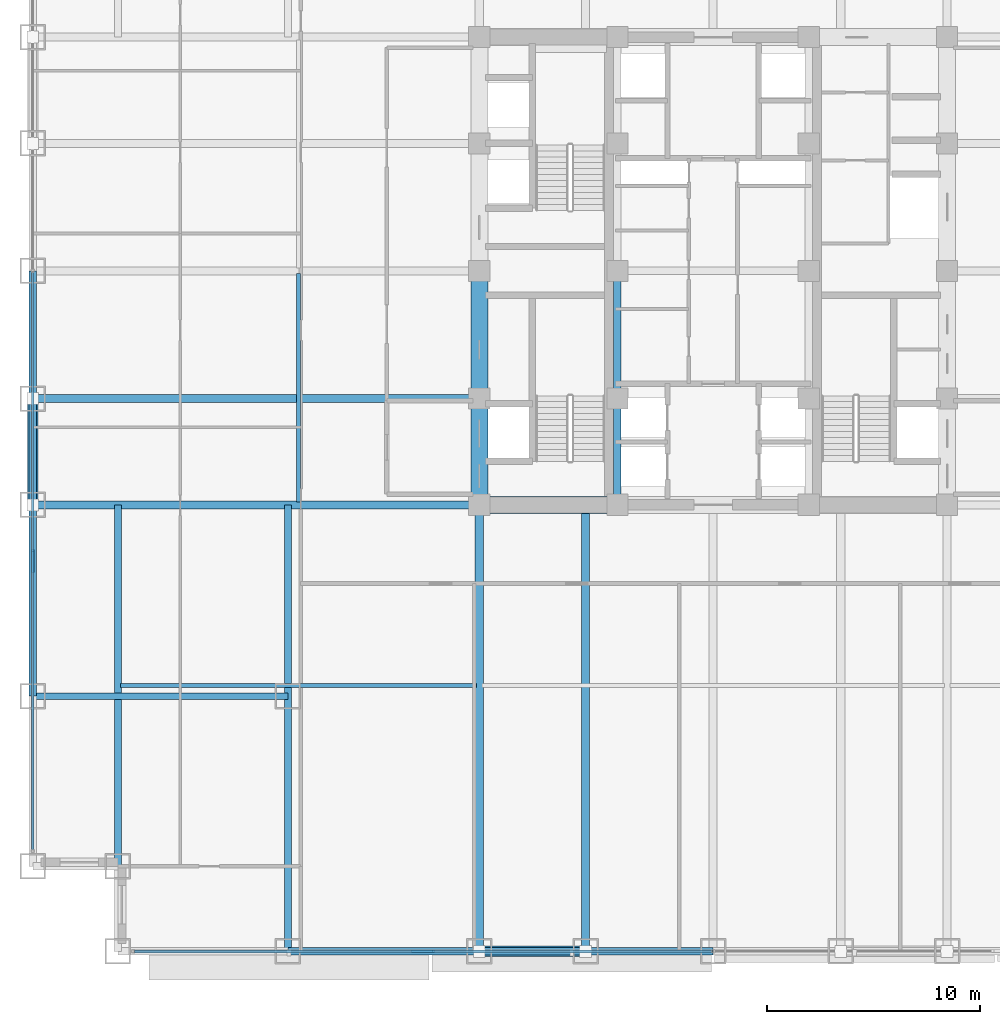
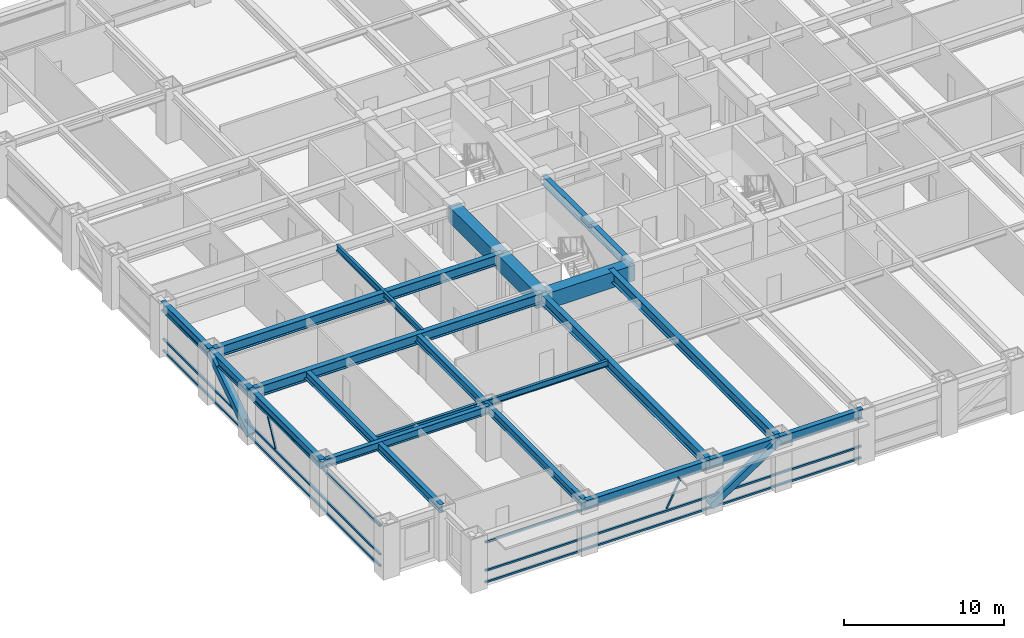
# One storey, part 3 of 32: 20 beams, 10 members, 2 elements without a shape of their own.
"""IFC4 building model written with IfcOpenShell, lengths in metres."""

from ifc_helpers import new_model, si_unit, direction, frame, origin, origin_2d, place, context, subcontext, project, spatial, rectangle, hollow_rectangle, i_section, extrude, source, transform, mapped, material, material_profile, profile_set, type_object, element, aggregate, save


model = new_model("IFC4")

# Units and contexts
model_context = context("Model", 3, precision=1e-05, world=origin(), true_north=direction((0.0, 1.0)))
body_context = subcontext(model_context, "Body", "Model", "MODEL_VIEW")
ifc_project = project(units=[si_unit("LENGTHUNIT", "METRE"), si_unit("AREAUNIT", "SQUARE_METRE"), si_unit("VOLUMEUNIT", "CUBIC_METRE"), si_unit("PLANEANGLEUNIT", "RADIAN"), si_unit("MASSUNIT", "GRAM", prefix="KILO")], contexts=[model_context])

# Site, building, storey
site_placement = place(None, origin())
site = spatial("IfcSite", under=ifc_project, at=site_placement, CompositionType="ELEMENT")
building_placement = place(site_placement, origin())
building = spatial("IfcBuilding", under=site, at=building_placement, Name="Khorayat Bourse Tower", CompositionType="ELEMENT")
storey_placement = place(building_placement, frame((0.0, 0.0, 132.39990234375)))
storey = spatial("IfcBuildingStorey", under=building, at=storey_placement, Name="L30", CompositionType="ELEMENT", Elevation=132.39990234375)

# Beams
ifc_material_1 = material(Name="Concrete C72/90", Category="concrete")
ifc_material_profile_1 = material_profile(ifc_material_1, rectangle(XDim=0.800048828125, YDim=1.199951171875, at=origin_2d()), Name="RC 800x1200")
ifc_profile_set_1 = profile_set([ifc_material_profile_1], Name="Concrete C72/90")
beam_type_1 = type_object("IfcBeamType", Name="BM-COUP-1200", PredefinedType="BEAM", material=ifc_profile_set_1)
shared_shape_1 = source(origin(), body_context, "Body", "SweptSolid", [
    extrude(rectangle(XDim=0.800048828125, YDim=1.199951171875, at=origin_2d()), origin(), (0.0, 0.0, 1.0), 5.0),
])
beam_1_placement = place(storey_placement, frame((-11.0, -11.0, 3.239990234375), z_axis=(0.0, 1.0, 0.0), x_axis=(-1.0, 0.0, 0.0)))
element("IfcBeam", 1, at=beam_1_placement, inside=storey, type_object=beam_type_1, Name="L30 BM-COUP-1200 BM-L30-CRX-01", PredefinedType="BEAM", context=body_context, shape_type="MappedRepresentation", body=[
    mapped(shared_shape_1, transform((0.0, 0.0, 0.0), scale=1.0)),
])
shared_shape_2 = source(origin(), body_context, "Body", "SweptSolid", [
    extrude(rectangle(XDim=0.800048828125, YDim=1.199951171875, at=origin_2d()), origin(), (0.0, 0.0, 1.0), 6.0),
])
beam_2_placement = place(storey_placement, frame((-11.0, -6.0, 3.239990234375), z_axis=(0.0, 1.0, 0.0), x_axis=(-1.0, 0.0, 0.0)))
element("IfcBeam", 2, at=beam_2_placement, inside=storey, type_object=beam_type_1, Name="L30 BM-COUP-1200 BM-L30-CRX-02", PredefinedType="BEAM", context=body_context, shape_type="MappedRepresentation", body=[
    mapped(shared_shape_2, transform((0.0, 0.0, 0.0), scale=1.0)),
])
ifc_material_2 = material(Name="Steel ASTM A992 Grade 50", Category="steel")
ifc_material_profile_2 = material_profile(ifc_material_2, i_section(OverallWidth=0.35498046875, OverallDepth=0.695068359375, WebThickness=0.015380859375, FlangeThickness=0.02490234375, FilletRadius=0.01806640625, at=origin_2d()), Name="W690X217")
ifc_profile_set_2 = profile_set([ifc_material_profile_2], Name="Steel ASTM A992 Grade 50")
beam_type_2 = type_object("IfcBeamType", Name="BM-GIRD-690", PredefinedType="BEAM", material=ifc_profile_set_2)
shared_shape_3 = source(origin(), body_context, "Body", "SweptSolid", [
    extrude(i_section(OverallWidth=0.35498046875, OverallDepth=0.695068359375, WebThickness=0.015380859375, FlangeThickness=0.02490234375, FilletRadius=0.01806640625, at=origin_2d()), origin(), (0.0, 0.0, 1.0), 5.0),
])
beam_3_placement = place(storey_placement, frame((-4.5, -11.0, 3.49267578125), z_axis=(0.0, 1.0, 0.0), x_axis=(-1.0, 0.0, 0.0)))
element("IfcBeam", 3, at=beam_3_placement, inside=storey, type_object=beam_type_2, Name="L30 BM-GIRD-690 BM-L30-CRX-05", PredefinedType="BEAM", context=body_context, shape_type="MappedRepresentation", body=[
    mapped(shared_shape_3, transform((0.0, 0.0, 0.0), scale=1.0)),
])
shared_shape_4 = source(origin(), body_context, "Body", "SweptSolid", [
    extrude(i_section(OverallWidth=0.35498046875, OverallDepth=0.695068359375, WebThickness=0.015380859375, FlangeThickness=0.02490234375, FilletRadius=0.01806640625, at=origin_2d()), origin(), (0.0, 0.0, 1.0), 6.0),
])
beam_4_placement = place(storey_placement, frame((-4.5, -6.0, 3.49267578125), z_axis=(0.0, 1.0, 0.0), x_axis=(-1.0, 0.0, 0.0)))
element("IfcBeam", 4, at=beam_4_placement, inside=storey, type_object=beam_type_2, Name="L30 BM-GIRD-690 BM-L30-CRX-06", PredefinedType="BEAM", context=body_context, shape_type="MappedRepresentation", body=[
    mapped(shared_shape_4, transform((0.0, 0.0, 0.0), scale=1.0)),
])
shared_shape_5 = source(origin(), body_context, "Body", "SweptSolid", [
    extrude(rectangle(XDim=0.800048828125, YDim=1.199951171875, at=origin_2d()), origin(), (0.0, 0.0, 1.0), 6.5),
])
beam_5_placement = place(storey_placement, frame((-11.0, -11.0, 3.239990234375), z_axis=(1.0, 0.0, 0.0), x_axis=(0.0, 1.0, 0.0)))
element("IfcBeam", 5, at=beam_5_placement, inside=storey, type_object=beam_type_1, Name="L30 BM-COUP-1200 BM-L30-CRY-17", PredefinedType="BEAM", context=body_context, shape_type="MappedRepresentation", body=[
    mapped(shared_shape_5, transform((0.0, 0.0, 0.0), scale=1.0)),
])
ifc_material_profile_3 = material_profile(ifc_material_2, i_section(OverallWidth=0.35498046875, OverallDepth=0.695068359375, WebThickness=0.015380859375, FlangeThickness=0.02490234375, FilletRadius=0.01806640625, at=origin_2d()), Name="W690X217")
ifc_profile_set_3 = profile_set([ifc_material_profile_3], Name="Steel ASTM A992 Grade 50")
beam_type_3 = type_object("IfcBeamType", Name="BM-SPAN-690", PredefinedType="SPANDREL", material=ifc_profile_set_3)
shared_shape_6 = source(origin(), body_context, "Body", "SweptSolid", [
    extrude(i_section(OverallWidth=0.35498046875, OverallDepth=0.695068359375, WebThickness=0.015380859375, FlangeThickness=0.02490234375, FilletRadius=0.01806640625, at=origin_2d()), origin(), (0.0, 0.0, 1.0), 9.0),
])
for number, where, z_axis, x_axis, name in (
    (6, (-20.0, -32.0, 3.49267578125), (1.0, 0.0, 0.0), (0.0, 1.0, 0.0), "L30 BM-SPAN-690 BM-L30-SPN-025"),
    (7, (-32.0, -20.0, 3.49267578125), (0.0, 1.0, 0.0), (-1.0, 0.0, 0.0), "L30 BM-SPAN-690 BM-L30-SPN-060"),
):
    element("IfcBeam", number, at=place(storey_placement, frame(where, z_axis=z_axis, x_axis=x_axis)), inside=storey, type_object=beam_type_3, Name=name, PredefinedType="SPANDREL", context=body_context, shape_type="MappedRepresentation", body=[
        mapped(shared_shape_6, transform((0.0, 0.0, 0.0), scale=1.0)),
    ])
shared_shape_7 = source(origin(), body_context, "Body", "SweptSolid", [
    extrude(i_section(OverallWidth=0.35498046875, OverallDepth=0.695068359375, WebThickness=0.015380859375, FlangeThickness=0.02490234375, FilletRadius=0.01806640625, at=origin_2d()), origin(), (0.0, 0.0, 1.0), 5.0),
])
for number, where, z_axis, x_axis, name in (
    (8, (-11.0, -32.0, 3.49267578125), (1.0, 0.0, 0.0), (0.0, 1.0, 0.0), "L30 BM-SPAN-690 BM-L30-SPN-026"),
    (9, (-32.0, -11.0, 3.49267578125), (0.0, 1.0, 0.0), (-1.0, 0.0, 0.0), "L30 BM-SPAN-690 BM-L30-SPN-059"),
):
    element("IfcBeam", number, at=place(storey_placement, frame(where, z_axis=z_axis, x_axis=x_axis)), inside=storey, type_object=beam_type_3, Name=name, PredefinedType="SPANDREL", context=body_context, shape_type="MappedRepresentation", body=[
        mapped(shared_shape_7, transform((0.0, 0.0, 0.0), scale=1.0)),
    ])
shared_shape_8 = source(origin(), body_context, "Body", "SweptSolid", [
    extrude(i_section(OverallWidth=0.35498046875, OverallDepth=0.695068359375, WebThickness=0.015380859375, FlangeThickness=0.02490234375, FilletRadius=0.01806640625, at=origin_2d()), origin(), (0.0, 0.0, 1.0), 6.0),
])
for number, where, z_axis, x_axis, name in (
    (10, (-6.0, -32.0, 3.49267578125), (1.0, 0.0, 0.0), (0.0, 1.0, 0.0), "L30 BM-SPAN-690 BM-L30-SPN-027"),
    (11, (-32.0, -6.0, 3.49267578125), (0.0, 1.0, 0.0), (-1.0, 0.0, 0.0), "L30 BM-SPAN-690 BM-L30-SPN-058"),
):
    element("IfcBeam", number, at=place(storey_placement, frame(where, z_axis=z_axis, x_axis=x_axis)), inside=storey, type_object=beam_type_3, Name=name, PredefinedType="SPANDREL", context=body_context, shape_type="MappedRepresentation", body=[
        mapped(shared_shape_8, transform((0.0, 0.0, 0.0), scale=1.0)),
    ])
ifc_material_profile_4 = material_profile(ifc_material_2, i_section(OverallWidth=0.324951171875, OverallDepth=0.615966796875, WebThickness=0.013916015625, FlangeThickness=0.021484375, FilletRadius=0.01611328125, at=origin_2d()), Name="W610X174")
ifc_profile_set_4 = profile_set([ifc_material_profile_4], Name="Steel ASTM A992 Grade 50")
beam_type_4 = type_object("IfcBeamType", Name="BM-GIRD-610", PredefinedType="BEAM", material=ifc_profile_set_4)
shared_shape_9 = source(origin(), body_context, "Body", "SweptSolid", [
    extrude(i_section(OverallWidth=0.324951171875, OverallDepth=0.615966796875, WebThickness=0.013916015625, FlangeThickness=0.021484375, FilletRadius=0.01611328125, at=origin_2d()), origin(), (0.0, 0.0, 1.0), 21.0),
])
beam_6_placement = place(storey_placement, frame((-20.0, -32.0, 3.531982421875), z_axis=(0.0, 1.0, 0.0), x_axis=(-1.0, 0.0, 0.0)))
element("IfcBeam", 12, at=beam_6_placement, inside=storey, type_object=beam_type_4, Name="L30 BM-GIRD-610 BM-L30-CNRY-084", PredefinedType="BEAM", context=body_context, shape_type="MappedRepresentation", body=[
    mapped(shared_shape_9, transform((0.0, 0.0, 0.0), scale=1.0)),
])
shared_shape_10 = source(origin(), body_context, "Body", "SweptSolid", [
    extrude(i_section(OverallWidth=0.324951171875, OverallDepth=0.615966796875, WebThickness=0.013916015625, FlangeThickness=0.021484375, FilletRadius=0.01611328125, at=origin_2d()), origin(), (0.0, 0.0, 1.0), 12.0),
])
beam_7_placement = place(storey_placement, frame((-32.0, -20.0, 3.531982421875), z_axis=(1.0, 0.0, 0.0), x_axis=(0.0, 1.0, 0.0)))
element("IfcBeam", 13, at=beam_7_placement, inside=storey, type_object=beam_type_4, Name="L30 BM-GIRD-610 BM-L30-CNRX-093", PredefinedType="BEAM", context=body_context, shape_type="MappedRepresentation", body=[
    mapped(shared_shape_10, transform((0.0, 0.0, 0.0), scale=1.0)),
])
ifc_material_profile_5 = material_profile(ifc_material_2, i_section(OverallWidth=0.194091796875, OverallDepth=0.468994140625, WebThickness=0.0126953125, FlangeThickness=0.0205078125, FilletRadius=0.012939453125, at=origin_2d()), Name="W460X106")
ifc_profile_set_5 = profile_set([ifc_material_profile_5], Name="Steel ASTM A992 Grade 50")
beam_type_5 = type_object("IfcBeamType", Name="BM-JOIST-460", PredefinedType="JOIST", material=ifc_profile_set_5)
shared_shape_11 = source(origin(), body_context, "Body", "SweptSolid", [
    extrude(i_section(OverallWidth=0.194091796875, OverallDepth=0.468994140625, WebThickness=0.0126953125, FlangeThickness=0.0205078125, FilletRadius=0.012939453125, at=origin_2d()), origin(), (0.0, 0.0, 1.0), 10.740234375),
])
beam_8_placement = place(storey_placement, frame((-19.5, -10.8701171875, 3.605712890625), z_axis=(0.0, 1.0, 0.0), x_axis=(-1.0, 0.0, 0.0)))
element("IfcBeam", 14, at=beam_8_placement, inside=storey, type_object=beam_type_5, Name="L30 BM-JOIST-460 BM-L30-JSTY-102", PredefinedType="JOIST", context=body_context, shape_type="MappedRepresentation", body=[
    mapped(shared_shape_11, transform((0.0, 0.0, 0.0), scale=1.0)),
])
ifc_material_profile_6 = material_profile(ifc_material_2, i_section(OverallWidth=0.381103515625, OverallDepth=0.77294921875, WebThickness=0.0166015625, FlangeThickness=0.027587890625, FilletRadius=0.01806640625, at=origin_2d()), Name="W760X257")
ifc_profile_set_6 = profile_set([ifc_material_profile_6], Name="Steel ASTM A992 Grade 50")
beam_type_6 = type_object("IfcBeamType", Name="BM-GIRD-760", PredefinedType="BEAM", material=ifc_profile_set_6)
shared_shape_12 = source(origin(), body_context, "Body", "SweptSolid", [
    extrude(i_section(OverallWidth=0.381103515625, OverallDepth=0.77294921875, WebThickness=0.0166015625, FlangeThickness=0.027587890625, FilletRadius=0.01806640625, at=origin_2d()), origin(), (0.0, 0.0, 1.0), 21.0),
])
for number, where, z_axis, x_axis, name in (
    (15, (-11.0, -32.0, 3.45361328125), (0.0, 1.0, 0.0), (-1.0, 0.0, 0.0), "L30 BM-GIRD-760 BM-L30-RADY-065"),
    (16, (-6.0, -32.0, 3.45361328125), (0.0, 1.0, 0.0), (-1.0, 0.0, 0.0), "L30 BM-GIRD-760 BM-L30-RADY-067"),
    (17, (-32.0, -11.0, 3.45361328125), (1.0, 0.0, 0.0), (0.0, 1.0, 0.0), "L30 BM-GIRD-760 BM-L30-RADX-075"),
    (18, (-32.0, -6.0, 3.45361328125), (1.0, 0.0, 0.0), (0.0, 1.0, 0.0), "L30 BM-GIRD-760 BM-L30-RADX-077"),
):
    element("IfcBeam", number, at=place(storey_placement, frame(where, z_axis=z_axis, x_axis=x_axis)), inside=storey, type_object=beam_type_6, Name=name, PredefinedType="BEAM", context=body_context, shape_type="MappedRepresentation", body=[
        mapped(shared_shape_12, transform((0.0, 0.0, 0.0), scale=1.0)),
    ])
shared_shape_13 = source(origin(), body_context, "Body", "SweptSolid", [
    extrude(i_section(OverallWidth=0.324951171875, OverallDepth=0.615966796875, WebThickness=0.013916015625, FlangeThickness=0.021484375, FilletRadius=0.01611328125, at=origin_2d()), origin(), (0.0, 0.0, 1.0), 17.0),
])
beam_9_placement = place(storey_placement, frame((-28.0, -28.0, 3.531982421875), z_axis=(0.0, 1.0, 0.0), x_axis=(-1.0, 0.0, 0.0)))
element("IfcBeam", 19, at=beam_9_placement, inside=storey, type_object=beam_type_4, Name="L30 BM-GIRD-610 BM-L30-CNRY-088", PredefinedType="BEAM", context=body_context, shape_type="MappedRepresentation", body=[
    mapped(shared_shape_13, transform((0.0, 0.0, 0.0), scale=1.0)),
])
shared_shape_14 = source(origin(), body_context, "Body", "SweptSolid", [
    extrude(i_section(OverallWidth=0.194091796875, OverallDepth=0.468994140625, WebThickness=0.0126953125, FlangeThickness=0.0205078125, FilletRadius=0.012939453125, at=origin_2d()), origin(), (0.0, 0.0, 1.0), 16.740234375),
])
beam_10_placement = place(storey_placement, frame((-27.8701171875, -19.5, 3.605712890625), z_axis=(1.0, 0.0, 0.0), x_axis=(0.0, 1.0, 0.0)))
element("IfcBeam", 20, at=beam_10_placement, inside=storey, type_object=beam_type_5, Name="L30 BM-JOIST-460 BM-L30-JSTX-096", PredefinedType="JOIST", context=body_context, shape_type="MappedRepresentation", body=[
    mapped(shared_shape_14, transform((0.0, 0.0, 0.0), scale=1.0)),
])

# Members
ifc_material_3 = material(Name="Steel EN 10025-4 S460M", Category="steel")
ifc_material_profile_7 = material_profile(ifc_material_3, hollow_rectangle(XDim=0.5, YDim=0.5, WallThickness=0.028076171875, at=origin_2d()), Name="HSS 500x500x28")
ifc_profile_set_7 = profile_set([ifc_material_profile_7], Name="Steel EN 10025-4 S460M")
member_type_1 = type_object("IfcMemberType", Name="MBR-TUBE-500", PredefinedType="BRACE", material=ifc_profile_set_7)
shared_shape_15 = source(origin(), body_context, "Body", "SweptSolid", [
    extrude(hollow_rectangle(XDim=0.5, YDim=0.5, WallThickness=0.028076171875, at=origin_2d()), origin(), (0.0, 0.0, 1.0), 6.012939453125),
])
for number, where, z_axis, x_axis, name in (
    (21, (-11.0, -32.0, 0.25), (0.831531473026, 0.0, 0.555477640745), (0.0, 1.0, 0.0), "L30 Perimeter Tube Brace 01"),
    (22, (-32.0, -11.0, 0.25), (0.0, 0.831531473026, 0.555477640745), (-1.0, 0.0, 0.0), "L30 Perimeter Tube Brace 05"),
):
    element("IfcMember", number, at=place(storey_placement, frame(where, z_axis=z_axis, x_axis=x_axis)), inside=storey, type_object=member_type_1, Name=name, PredefinedType="BRACE", context=body_context, shape_type="MappedRepresentation", body=[
        mapped(shared_shape_15, transform((0.0, 0.0, 0.0), scale=1.0)),
    ])

# Curtain wall, members
ifc_material_4 = material(Name="Aluminium EN AW-6063 T6", Category="aluminium")
curtain_wall_type = type_object("IfcCurtainWallType", Name="CW-SYS-02", PredefinedType="NOTDEFINED", material=ifc_material_4)
curtain_wall_1_placement = place(storey_placement, origin())
curtain_wall_1 = element("IfcCurtainWall", 23, at=curtain_wall_1_placement, inside=storey, type_object=curtain_wall_type, Name="L30 Curtain Wall CW-L30-S1", PredefinedType="NOTDEFINED")
ifc_material_profile_8 = material_profile(ifc_material_4, hollow_rectangle(XDim=0.139892578125, YDim=0.139892578125, WallThickness=0.006103515625, at=origin_2d()), Name="ALU 140x140x6")
ifc_profile_set_8 = profile_set([ifc_material_profile_8], Name="Aluminium EN AW-6063 T6")
member_type_2 = type_object("IfcMemberType", Name="CWT-HORZ-140", PredefinedType="USERDEFINED", material=ifc_profile_set_8)
shared_shape_16 = source(origin(), body_context, "Body", "SweptSolid", [
    extrude(hollow_rectangle(XDim=0.139892578125, YDim=0.139892578125, WallThickness=0.006103515625, at=origin_2d()), origin(), (0.0, 0.0, 1.0), 27.139892578125),
])
member_1_placement = place(storey_placement, frame((-27.2099609375, -32.0, 0.070068359375), z_axis=(1.0, 0.0, 0.0), x_axis=(0.0, 1.0, 0.0)))
member_1 = element("IfcMember", 24, at=member_1_placement, type_object=member_type_2, Name="CW-L30-S1 Horizontal Transom 1-1", ObjectType="TRANSOM", PredefinedType="USERDEFINED", context=body_context, shape_type="MappedRepresentation", body=[
    mapped(shared_shape_16, transform((0.0, 0.0, 0.0), scale=1.0)),
])
member_2_placement = place(storey_placement, frame((-27.2099609375, -32.0, 0.9501953125), z_axis=(1.0, 0.0, 0.0), x_axis=(0.0, 1.0, 0.0)))
member_2 = element("IfcMember", 25, at=member_2_placement, type_object=member_type_2, Name="CW-L30-S1 Horizontal Transom 1-2", ObjectType="TRANSOM", PredefinedType="USERDEFINED", context=body_context, shape_type="MappedRepresentation", body=[
    mapped(shared_shape_16, transform((0.0, 0.0, 0.0), scale=1.0)),
])
member_3_placement = place(storey_placement, frame((-27.2099609375, -32.0, 3.1201171875), z_axis=(1.0, 0.0, 0.0), x_axis=(0.0, 1.0, 0.0)))
member_3 = element("IfcMember", 26, at=member_3_placement, type_object=member_type_2, Name="CW-L30-S1 Horizontal Transom 1-3", ObjectType="TRANSOM", PredefinedType="USERDEFINED", context=body_context, shape_type="MappedRepresentation", body=[
    mapped(shared_shape_16, transform((0.0, 0.0, 0.0), scale=1.0)),
])

curtain_wall_2_placement = place(storey_placement, origin())
curtain_wall_2 = element("IfcCurtainWall", 27, at=curtain_wall_2_placement, inside=storey, type_object=curtain_wall_type, Name="L30 Curtain Wall CW-L30-W1", PredefinedType="NOTDEFINED")
member_4_placement = place(storey_placement, frame((-32.0, -27.2099609375, 0.070068359375), z_axis=(0.0, 1.0, 0.0), x_axis=(-1.0, 0.0, 0.0)))
member_4 = element("IfcMember", 28, at=member_4_placement, type_object=member_type_2, Name="CW-L30-W1 Horizontal Transom 1-1", ObjectType="TRANSOM", PredefinedType="USERDEFINED", context=body_context, shape_type="MappedRepresentation", body=[
    mapped(shared_shape_16, transform((0.0, 0.0, 0.0), scale=1.0)),
])
member_5_placement = place(storey_placement, frame((-32.0, -27.2099609375, 0.9501953125), z_axis=(0.0, 1.0, 0.0), x_axis=(-1.0, 0.0, 0.0)))
member_5 = element("IfcMember", 29, at=member_5_placement, type_object=member_type_2, Name="CW-L30-W1 Horizontal Transom 1-2", ObjectType="TRANSOM", PredefinedType="USERDEFINED", context=body_context, shape_type="MappedRepresentation", body=[
    mapped(shared_shape_16, transform((0.0, 0.0, 0.0), scale=1.0)),
])
member_6_placement = place(storey_placement, frame((-32.0, -27.2099609375, 3.1201171875), z_axis=(0.0, 1.0, 0.0), x_axis=(-1.0, 0.0, 0.0)))
member_6 = element("IfcMember", 30, at=member_6_placement, type_object=member_type_2, Name="CW-L30-W1 Horizontal Transom 1-3", ObjectType="TRANSOM", PredefinedType="USERDEFINED", context=body_context, shape_type="MappedRepresentation", body=[
    mapped(shared_shape_16, transform((0.0, 0.0, 0.0), scale=1.0)),
])

# Member
ifc_material_profile_9 = material_profile(ifc_material_4, hollow_rectangle(XDim=0.1201171875, YDim=0.1201171875, WallThickness=0.0048828125, at=origin_2d()), Name="ALU 120x120x5")
ifc_profile_set_9 = profile_set([ifc_material_profile_9], Name="Aluminium EN AW-6063 T6")
member_type_3 = type_object("IfcMemberType", Name="CWM-DIAG-120", PredefinedType="MULLION", material=ifc_profile_set_9)
shared_shape_17 = source(origin(), body_context, "Body", "SweptSolid", [
    extrude(hollow_rectangle(XDim=0.1201171875, YDim=0.1201171875, WallThickness=0.0048828125, at=origin_2d()), origin(), (0.0, 0.0, 1.0), 2.11328125),
])
member_7_placement = place(storey_placement, frame((-14.132080078125, -32.0, 1.10009765625), z_axis=(0.465694055905, 0.0, 0.884945787207), x_axis=(0.0, 1.0, 0.0)))
member_7 = element("IfcMember", 31, at=member_7_placement, type_object=member_type_3, Name="CW-L30-S1 Faceted Diagonal Mullion 1", PredefinedType="MULLION", context=body_context, shape_type="MappedRepresentation", body=[
    mapped(shared_shape_17, transform((0.0, 0.0, 0.0), scale=1.0)),
])

aggregate(curtain_wall_1, [member_1, member_2, member_3, member_7])

member_8_placement = place(storey_placement, frame((-32.0, -14.132080078125, 1.10009765625), z_axis=(0.0, 0.465694055905, 0.884945787207), x_axis=(-1.0, 0.0, 0.0)))
member_8 = element("IfcMember", 32, at=member_8_placement, type_object=member_type_3, Name="CW-L30-W1 Faceted Diagonal Mullion 1", PredefinedType="MULLION", context=body_context, shape_type="MappedRepresentation", body=[
    mapped(shared_shape_17, transform((0.0, 0.0, 0.0), scale=1.0)),
])

aggregate(curtain_wall_2, [member_4, member_5, member_6, member_8])

save(model, "model.ifc")
